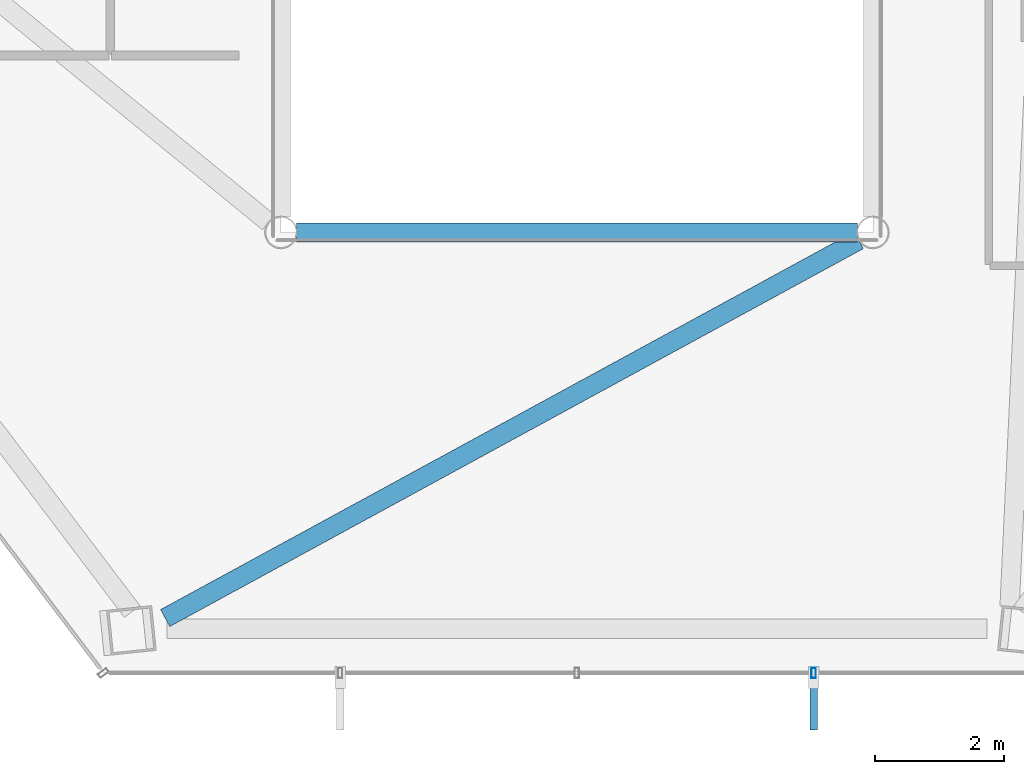
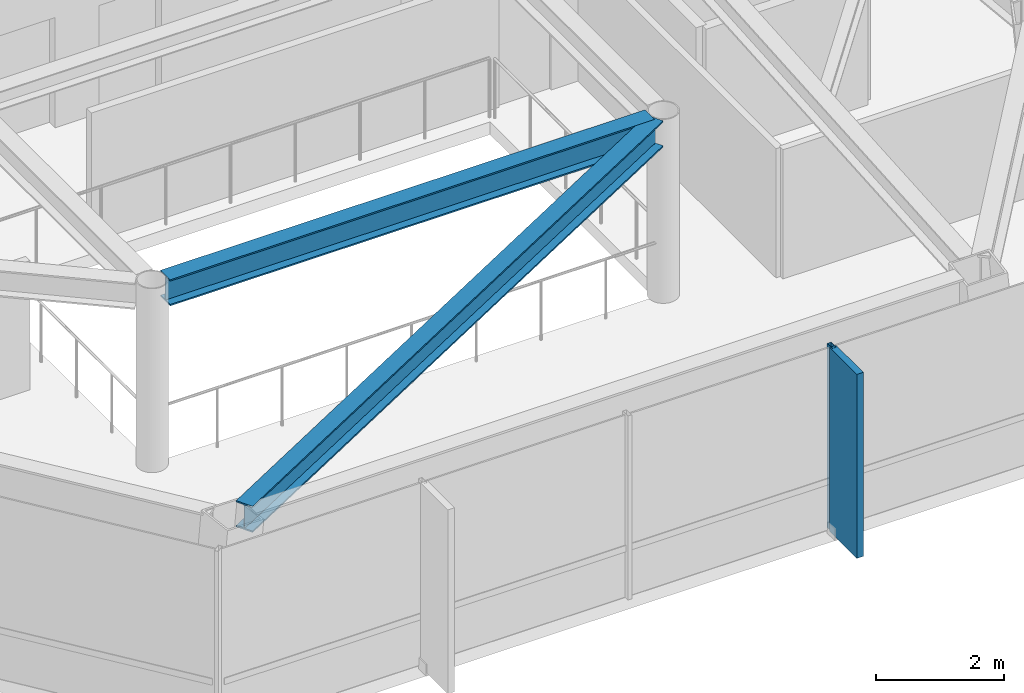
# One storey, part 7 of 27: 2 beams, 2 members, 1 element without a shape of its own.
"""IFC4 building model written with IfcOpenShell, lengths in metres."""

from ifc_helpers import new_model, si_unit, direction, frame, origin, origin_2d, place, context, subcontext, project, spatial, rectangle, hollow_rectangle, i_section, extrude, material, layer, layer_set, material_profile, profile_set, type_object, element, aggregate, save


model = new_model("IFC4")

# Units and contexts
model_context = context("Model", 3, precision=1e-05, world=origin(), true_north=direction((0.0, 1.0)))
body_context = subcontext(model_context, "Body", "Model", "MODEL_VIEW")
ifc_project = project(units=[si_unit("LENGTHUNIT", "METRE"), si_unit("AREAUNIT", "SQUARE_METRE"), si_unit("VOLUMEUNIT", "CUBIC_METRE"), si_unit("PLANEANGLEUNIT", "RADIAN"), si_unit("MASSUNIT", "GRAM", prefix="KILO")], contexts=[model_context])

# Site, building, storey
site_placement = place(None, origin())
site = spatial("IfcSite", under=ifc_project, at=site_placement, CompositionType="ELEMENT")
building_placement = place(site_placement, origin())
building = spatial("IfcBuilding", under=site, at=building_placement, Name="Zarrinselat Tower", CompositionType="ELEMENT")
storey_placement = place(building_placement, frame((0.0, 0.0, 183.260009765625)))
storey = spatial("IfcBuildingStorey", under=building, at=storey_placement, Name="L45", CompositionType="ELEMENT", Elevation=183.260009765625)

# Beams
ifc_material_1 = material(Name="Steel S355J2", Category="steel")
ifc_material_profile_1 = material_profile(ifc_material_1, i_section(OverallWidth=0.300048828125, OverallDepth=0.5, WebThickness=0.014404296875, FlangeThickness=0.028076171875, at=origin_2d()), Name="HEB 500")
ifc_profile_set_1 = profile_set([ifc_material_profile_1], Name="Steel S355J2")
beam_type = type_object("IfcBeamType", Name="BM-HEB500", PredefinedType="BEAM", material=ifc_profile_set_1)
beam_1_placement = place(storey_placement, frame((34.0400390625, 24.39990234375, 3.25), z_axis=(1.0, 0.0, 0.0), x_axis=(0.0, 1.0, 0.0)))
element("IfcBeam", 1, at=beam_1_placement, inside=storey, type_object=beam_type, Name="L45 Atrium Edge Beam S", PredefinedType="BEAM", context=body_context, shape_type="SweptSolid", body=[
    extrude(i_section(OverallWidth=0.300048828125, OverallDepth=0.5, WebThickness=0.014404296875, FlangeThickness=0.028076171875, at=origin_2d()), origin(), (0.0, 0.0, 1.0), 8.719970703125),
])
beam_2_placement = place(storey_placement, frame((32.00146484375, 18.40771484375, 3.25), z_axis=(0.878124260861, 0.478432631085, 0.0), x_axis=(-0.478432631085, 0.878124260861, 0.0)))
element("IfcBeam", 2, at=beam_2_placement, inside=storey, type_object=beam_type, Name="L45 Radial Primary Girder RG10", PredefinedType="BEAM", context=body_context, shape_type="SweptSolid", body=[
    extrude(i_section(OverallWidth=0.300048828125, OverallDepth=0.5, WebThickness=0.014404296875, FlangeThickness=0.028076171875, at=origin_2d()), origin(), (0.0, 0.0, 1.0), 12.275146484375),
])

# Curtain wall, members
ifc_material_2 = material(Name="Extruded Aluminium Alloy EN AW-6063 T6", Category="aluminium")
ifc_layer = layer(ifc_material_2, 0.175048828125)
ifc_layer_set = layer_set([ifc_layer], Name="Extruded Aluminium Alloy EN AW-6063 T6")
curtain_wall_type = type_object("IfcCurtainWallType", Name="CWS-HTL", PredefinedType="NOTDEFINED", material=ifc_layer_set)
curtain_wall_placement = place(storey_placement, origin())
curtain_wall = element("IfcCurtainWall", 3, at=curtain_wall_placement, inside=storey, type_object=curtain_wall_type, Name="L45 Unitised Curtain Wall CW-L45-E04", PredefinedType="NOTDEFINED")
ifc_material_3 = material(Name="Extruded Aluminium Alloy EN AW-6063 T6", Category="aluminium")
ifc_material_profile_2 = material_profile(ifc_material_3, hollow_rectangle(XDim=0.070068359375, YDim=0.159912109375, WallThickness=0.00390625, at=origin_2d()), Name="RHS 160x70x4")
ifc_profile_set_2 = profile_set([ifc_material_profile_2], Name="Extruded Aluminium Alloy EN AW-6063 T6")
member_type_1 = type_object("IfcMemberType", Name="MEM-CW-MUL2", PredefinedType="MULLION", material=ifc_profile_set_2)
member_1_placement = place(storey_placement, frame((42.0791015625, 17.555419921875, 0.0), z_axis=(0.0, 0.0, 1.0), x_axis=(1.0, 0.0, 0.0)))
member_1 = element("IfcMember", 4, at=member_1_placement, type_object=member_type_1, Name="CW-L45-E04 Mullion 3", PredefinedType="MULLION", context=body_context, shape_type="SweptSolid", body=[
    extrude(hollow_rectangle(XDim=0.070068359375, YDim=0.159912109375, WallThickness=0.00390625, at=origin_2d()), origin(), (0.0, 0.0, 1.0), 3.5),
])
ifc_material_4 = material(Name="Honed Cream Travertine Stone", Category="masonry")
ifc_material_profile_3 = material_profile(ifc_material_4, rectangle(XDim=0.1201171875, YDim=0.85009765625, at=origin_2d()), Name="FIN 850x120")
ifc_profile_set_3 = profile_set([ifc_material_profile_3], Name="Honed Cream Travertine Stone")
member_type_2 = type_object("IfcMemberType", Name="MEM-STONE-FIN", PredefinedType="USERDEFINED", material=ifc_profile_set_3)
member_2_placement = place(storey_placement, frame((42.0791015625, 17.09521484375, 0.0), z_axis=(0.0, 0.0, 1.0), x_axis=(-1.0, 0.0, 0.0)))
member_2 = element("IfcMember", 5, at=member_2_placement, type_object=member_type_2, Name="L45 Stone Shading Fin CW-L45-E04-03", ObjectType="FIN", PredefinedType="USERDEFINED", context=body_context, shape_type="SweptSolid", body=[
    extrude(rectangle(XDim=0.1201171875, YDim=0.85009765625, at=origin_2d()), origin(), (0.0, 0.0, 1.0), 3.5),
])
aggregate(curtain_wall, [member_1, member_2])

save(model, "model.ifc")
